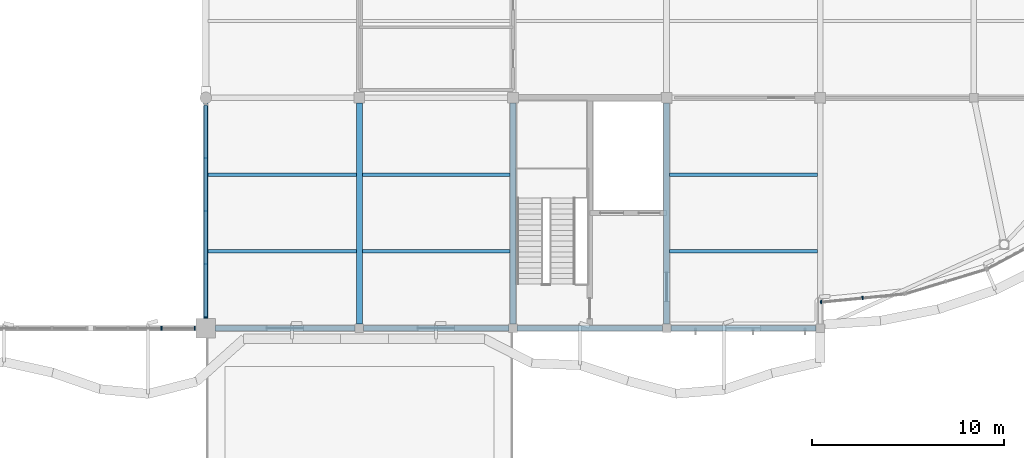
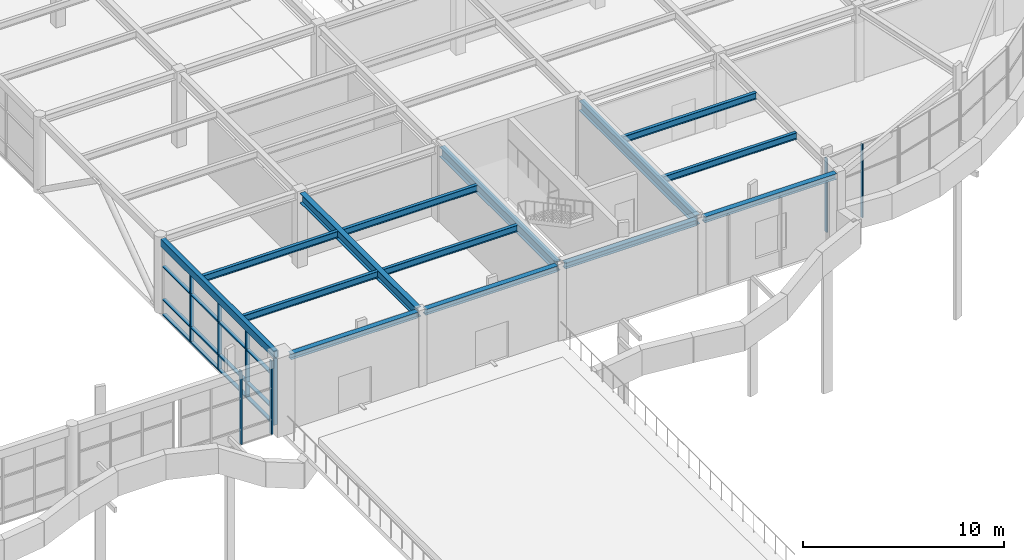
# One storey, part 23 of 63: 14 beams, 12 members, 3 elements without a shape of their own.
"""IFC4 building model written with IfcOpenShell, lengths in metres."""

from ifc_helpers import new_model, si_unit, direction, frame, origin, origin_2d, place, context, subcontext, project, spatial, rectangle, hollow_rectangle, i_section, extrude, material, layer, layer_set, material_profile, profile_set, type_object, element, aggregate, save


model = new_model("IFC4")

# Units and contexts
model_context = context("Model", 3, precision=1e-05, world=origin(), true_north=direction((0.0, 1.0)))
body_context = subcontext(model_context, "Body", "Model", "MODEL_VIEW")
ifc_project = project(units=[si_unit("LENGTHUNIT", "METRE"), si_unit("AREAUNIT", "SQUARE_METRE"), si_unit("VOLUMEUNIT", "CUBIC_METRE"), si_unit("PLANEANGLEUNIT", "RADIAN"), si_unit("MASSUNIT", "GRAM", prefix="KILO")], contexts=[model_context])

# Site, building, storey
site_placement = place(None, origin())
site = spatial("IfcSite", under=ifc_project, at=site_placement, CompositionType="ELEMENT")
building_placement = place(site_placement, origin())
building = spatial("IfcBuilding", under=site, at=building_placement, Name="Keelwater Ferry Terminal", CompositionType="ELEMENT")
storey_placement = place(building_placement, frame((0.0, 0.0, 10.199951171875)))
storey = spatial("IfcBuildingStorey", under=building, at=storey_placement, Name="L02", CompositionType="ELEMENT", Elevation=10.199951171875)

# Curtain wall, members
ifc_material_1 = material(Name="Thermally broken unitised aluminium and triple glass", Category="aluminium")
ifc_layer_1 = layer(ifc_material_1, 0.179931640625)
ifc_layer_set_1 = layer_set([ifc_layer_1], Name="Thermally broken unitised aluminium and triple glass")
curtain_wall_type_1 = type_object("IfcCurtainWallType", Name="CW-19 Unitised Curtain Wall 4350x4480", PredefinedType="USERDEFINED", material=ifc_layer_set_1)
curtain_wall_1_placement = place(storey_placement, origin())
curtain_wall_1 = element("IfcCurtainWall", 1, at=curtain_wall_1_placement, inside=storey, type_object=curtain_wall_type_1, Name="Unitised Curtain Wall CW-L02-157", ObjectType="UNITISED CURTAIN WALL", PredefinedType="USERDEFINED")
ifc_material_2 = material(Name="Aluminium mullion", Category="aluminium")
ifc_material_profile_1 = material_profile(ifc_material_2, rectangle(XDim=0.06494140625, YDim=0.179931640625, at=origin_2d()), Name="CWM-01")
ifc_profile_set_1 = profile_set([ifc_material_profile_1], Name="Aluminium mullion")
member_type_1 = type_object("IfcMemberType", Name="CWM-01 Curtain Mullion 65x180", PredefinedType="MULLION", material=ifc_profile_set_1)
member_1_placement = place(storey_placement, frame((164.044921875, 43.35400390625, 0.0), z_axis=(0.0, 0.0, 1.0), x_axis=(0.995170573079, 0.098160737969, 0.0)))
member_1 = element("IfcMember", 2, at=member_1_placement, type_object=member_type_1, Name="CW-L02-157 Mullion 1", PredefinedType="MULLION", context=body_context, shape_type="SweptSolid", body=[
    extrude(rectangle(XDim=0.06494140625, YDim=0.179931640625, at=origin_2d()), origin(), (0.0, 0.0, 1.0), 4.47998046875),
])
member_2_placement = place(storey_placement, frame((166.20947265625, 43.5673828125, 0.0), z_axis=(0.0, 0.0, 1.0), x_axis=(0.995170573079, 0.098160737969, 0.0)))
member_2 = element("IfcMember", 3, at=member_2_placement, type_object=member_type_1, Name="CW-L02-157 Mullion 2", PredefinedType="MULLION", context=body_context, shape_type="SweptSolid", body=[
    extrude(rectangle(XDim=0.06494140625, YDim=0.179931640625, at=origin_2d()), origin(), (0.0, 0.0, 1.0), 4.47998046875),
])
aggregate(curtain_wall_1, [member_1, member_2])

ifc_material_3 = material(Name="Thermally broken unitised aluminium and triple glass", Category="aluminium")
ifc_layer_2 = layer(ifc_material_3, 0.179931640625)
ifc_layer_set_2 = layer_set([ifc_layer_2], Name="Thermally broken unitised aluminium and triple glass")
curtain_wall_type_2 = type_object("IfcCurtainWallType", Name="CW-03 Unitised Curtain Wall 5230x4450", PredefinedType="USERDEFINED", material=ifc_layer_set_2)
curtain_wall_2_placement = place(storey_placement, origin())
curtain_wall_2 = element("IfcCurtainWall", 4, at=curtain_wall_2_placement, inside=storey, type_object=curtain_wall_type_2, Name="Unitised Curtain Wall CW-L02-024", ObjectType="UNITISED CURTAIN WALL", PredefinedType="USERDEFINED")
ifc_material_4 = material(Name="Aluminium mullion", Category="aluminium")
ifc_material_profile_2 = material_profile(ifc_material_4, rectangle(XDim=0.074951171875, YDim=0.219970703125, at=origin_2d()), Name="CWM-02")
ifc_profile_set_2 = profile_set([ifc_material_profile_2], Name="Aluminium mullion")
member_type_2 = type_object("IfcMemberType", Name="CWM-02 Curtain Mullion 75x220", PredefinedType="MULLION", material=ifc_profile_set_2)
member_3_placement = place(storey_placement, frame((129.681640625, 42.0, 0.0), z_axis=(0.0, 0.0, 1.0), x_axis=(1.0, 0.0, 0.0)))
member_3 = element("IfcMember", 5, at=member_3_placement, type_object=member_type_2, Name="CW-L02-024 Mullion 3", PredefinedType="MULLION", context=body_context, shape_type="SweptSolid", body=[
    extrude(rectangle(XDim=0.074951171875, YDim=0.219970703125, at=origin_2d()), origin(), (0.0, 0.0, 1.0), 4.449951171875),
])
member_4_placement = place(storey_placement, frame((131.425048828125, 42.0, 0.0), z_axis=(0.0, 0.0, 1.0), x_axis=(1.0, 0.0, 0.0)))
member_4 = element("IfcMember", 6, at=member_4_placement, type_object=member_type_2, Name="CW-L02-024 Mullion 4", PredefinedType="MULLION", context=body_context, shape_type="SweptSolid", body=[
    extrude(rectangle(XDim=0.074951171875, YDim=0.219970703125, at=origin_2d()), origin(), (0.0, 0.0, 1.0), 4.449951171875),
])
aggregate(curtain_wall_2, [member_3, member_4])

ifc_material_5 = material(Name="Thermally broken unitised aluminium and triple glass", Category="aluminium")
ifc_layer_3 = layer(ifc_material_5, 0.179931640625)
ifc_layer_set_3 = layer_set([ifc_layer_3], Name="Thermally broken unitised aluminium and triple glass")
curtain_wall_type_3 = type_object("IfcCurtainWallType", Name="CW-14 Unitised Curtain Wall 11050x4450", PredefinedType="USERDEFINED", material=ifc_layer_set_3)
curtain_wall_3_placement = place(storey_placement, origin())
curtain_wall_3 = element("IfcCurtainWall", 7, at=curtain_wall_3_placement, inside=storey, type_object=curtain_wall_type_3, Name="Unitised Curtain Wall CW-L02-074", ObjectType="UNITISED CURTAIN WALL", PredefinedType="USERDEFINED")
member_5_placement = place(storey_placement, frame((132.0, 42.574951171875, 0.0), z_axis=(0.0, 0.0, 1.0), x_axis=(0.0, 1.0, 0.0)))
member_5 = element("IfcMember", 8, at=member_5_placement, type_object=member_type_2, Name="CW-L02-074 Mullion 1", PredefinedType="MULLION", context=body_context, shape_type="SweptSolid", body=[
    extrude(rectangle(XDim=0.074951171875, YDim=0.219970703125, at=origin_2d()), origin(), (0.0, 0.0, 1.0), 4.449951171875),
])
member_6_placement = place(storey_placement, frame((132.0, 45.33740234375, 0.0), z_axis=(0.0, 0.0, 1.0), x_axis=(0.0, 1.0, 0.0)))
member_6 = element("IfcMember", 9, at=member_6_placement, type_object=member_type_2, Name="CW-L02-074 Mullion 2", PredefinedType="MULLION", context=body_context, shape_type="SweptSolid", body=[
    extrude(rectangle(XDim=0.074951171875, YDim=0.219970703125, at=origin_2d()), origin(), (0.0, 0.0, 1.0), 4.449951171875),
])
member_7_placement = place(storey_placement, frame((132.0, 48.10009765625, 0.0), z_axis=(0.0, 0.0, 1.0), x_axis=(0.0, 1.0, 0.0)))
member_7 = element("IfcMember", 10, at=member_7_placement, type_object=member_type_2, Name="CW-L02-074 Mullion 3", PredefinedType="MULLION", context=body_context, shape_type="SweptSolid", body=[
    extrude(rectangle(XDim=0.074951171875, YDim=0.219970703125, at=origin_2d()), origin(), (0.0, 0.0, 1.0), 4.449951171875),
])
member_8_placement = place(storey_placement, frame((132.0, 50.862548828125, 0.0), z_axis=(0.0, 0.0, 1.0), x_axis=(0.0, 1.0, 0.0)))
member_8 = element("IfcMember", 11, at=member_8_placement, type_object=member_type_2, Name="CW-L02-074 Mullion 4", PredefinedType="MULLION", context=body_context, shape_type="SweptSolid", body=[
    extrude(rectangle(XDim=0.074951171875, YDim=0.219970703125, at=origin_2d()), origin(), (0.0, 0.0, 1.0), 4.449951171875),
])
ifc_material_6 = material(Name="Aluminium mullion", Category="aluminium")
ifc_material_profile_3 = material_profile(ifc_material_6, rectangle(XDim=0.199951171875, YDim=0.074951171875, at=origin_2d()), Name="CWT-02")
ifc_profile_set_3 = profile_set([ifc_material_profile_3], Name="Aluminium mullion")
member_type_3 = type_object("IfcMemberType", Name="CWT-02 Curtain Transom 75x200", PredefinedType="USERDEFINED", material=ifc_profile_set_3)
member_9_placement = place(storey_placement, frame((132.0, 42.574951171875, 0.0), z_axis=(0.0, 1.0, 0.0), x_axis=(-1.0, 0.0, 0.0)))
member_9 = element("IfcMember", 12, at=member_9_placement, type_object=member_type_3, Name="CW-L02-074 Transom 1", ObjectType="TRANSOM", PredefinedType="USERDEFINED", context=body_context, shape_type="SweptSolid", body=[
    extrude(rectangle(XDim=0.199951171875, YDim=0.074951171875, at=origin_2d()), origin(), (0.0, 0.0, 1.0), 11.050048828125),
])
member_10_placement = place(storey_placement, frame((132.0, 42.574951171875, 0.900146484375), z_axis=(0.0, 1.0, 0.0), x_axis=(-1.0, 0.0, 0.0)))
member_10 = element("IfcMember", 13, at=member_10_placement, type_object=member_type_3, Name="CW-L02-074 Transom 2", ObjectType="TRANSOM", PredefinedType="USERDEFINED", context=body_context, shape_type="SweptSolid", body=[
    extrude(rectangle(XDim=0.199951171875, YDim=0.074951171875, at=origin_2d()), origin(), (0.0, 0.0, 1.0), 11.050048828125),
])
member_11_placement = place(storey_placement, frame((132.0, 42.574951171875, 2.900146484375), z_axis=(0.0, 1.0, 0.0), x_axis=(-1.0, 0.0, 0.0)))
member_11 = element("IfcMember", 14, at=member_11_placement, type_object=member_type_3, Name="CW-L02-074 Transom 3", ObjectType="TRANSOM", PredefinedType="USERDEFINED", context=body_context, shape_type="SweptSolid", body=[
    extrude(rectangle(XDim=0.199951171875, YDim=0.074951171875, at=origin_2d()), origin(), (0.0, 0.0, 1.0), 11.050048828125),
])
member_12_placement = place(storey_placement, frame((132.0, 42.574951171875, 4.449951171875), z_axis=(0.0, 1.0, 0.0), x_axis=(-1.0, 0.0, 0.0)))
member_12 = element("IfcMember", 15, at=member_12_placement, type_object=member_type_3, Name="CW-L02-074 Transom 4", ObjectType="TRANSOM", PredefinedType="USERDEFINED", context=body_context, shape_type="SweptSolid", body=[
    extrude(rectangle(XDim=0.199951171875, YDim=0.074951171875, at=origin_2d()), origin(), (0.0, 0.0, 1.0), 11.050048828125),
])
aggregate(curtain_wall_3, [member_5, member_6, member_7, member_8, member_9, member_10, member_11, member_12])

# Beams
ifc_material_7 = material(Name="Steel S355", Category="steel")
ifc_material_profile_4 = material_profile(ifc_material_7, i_section(OverallWidth=0.300048828125, OverallDepth=0.60009765625, WebThickness=0.015380859375, FlangeThickness=0.030029296875, at=origin_2d()), Name="HEB 600")
ifc_profile_set_4 = profile_set([ifc_material_profile_4], Name="Steel S355")
beam_type_1 = type_object("IfcBeamType", Name="G3 HEB 600", PredefinedType="BEAM", material=ifc_profile_set_4)
for number, where, z_axis, x_axis, name in (
    (16, (140.0, 42.219970703125, 4.219970703125), (0.0, 1.0, 0.0), (-1.0, 0.0, 0.0), "Beam BM-L02-1108"),
    (17, (156.0, 42.219970703125, 4.219970703125), (0.0, 1.0, 0.0), (-1.0, 0.0, 0.0), "Beam BM-L02-1122"),
):
    element("IfcBeam", number, at=place(storey_placement, frame(where, z_axis=z_axis, x_axis=x_axis)), inside=storey, type_object=beam_type_1, Name=name, PredefinedType="BEAM", context=body_context, shape_type="SweptSolid", body=[
        extrude(i_section(OverallWidth=0.300048828125, OverallDepth=0.60009765625, WebThickness=0.015380859375, FlangeThickness=0.030029296875, at=origin_2d()), origin(), (0.0, 0.0, 1.0), 11.510009765625),
    ])
ifc_material_8 = material(Name="Steel S355", Category="steel")
ifc_material_profile_5 = material_profile(ifc_material_8, i_section(OverallWidth=0.300048828125, OverallDepth=0.60009765625, WebThickness=0.015380859375, FlangeThickness=0.030029296875, at=origin_2d()), Name="HEB 600")
ifc_profile_set_5 = profile_set([ifc_material_profile_5], Name="Steel S355")
beam_type_2 = type_object("IfcBeamType", Name="G3E HEB 600", PredefinedType="BEAM", material=ifc_profile_set_5)
beam_1_placement = place(storey_placement, frame((148.0, 42.219970703125, 4.219970703125), z_axis=(0.0, 1.0, 0.0), x_axis=(-1.0, 0.0, 0.0)))
element("IfcBeam", 18, at=beam_1_placement, inside=storey, type_object=beam_type_2, Name="Beam BM-L02-1115", PredefinedType="BEAM", context=body_context, shape_type="SweptSolid", body=[
    extrude(i_section(OverallWidth=0.300048828125, OverallDepth=0.60009765625, WebThickness=0.015380859375, FlangeThickness=0.030029296875, at=origin_2d()), origin(), (0.0, 0.0, 1.0), 11.510009765625),
])
ifc_material_9 = material(Name="Steel S355", Category="steel")
ifc_material_profile_6 = material_profile(ifc_material_9, i_section(OverallWidth=0.179931640625, OverallDepth=0.39990234375, WebThickness=0.008544921875, FlangeThickness=0.013427734375, at=origin_2d()), Name="IPE 400")
ifc_profile_set_6 = profile_set([ifc_material_profile_6], Name="Steel S355")
beam_type_3 = type_object("IfcBeamType", Name="J5 IPE 400", PredefinedType="JOIST", material=ifc_profile_set_6)
for number, where, z_axis, x_axis, name in (
    (19, (132.125, 46.0, 4.320068359375), (1.0, 0.0, 0.0), (0.0, 1.0, 0.0), "Beam BM-L02-1195"),
    (20, (132.125, 50.0, 4.320068359375), (1.0, 0.0, 0.0), (0.0, 1.0, 0.0), "Beam BM-L02-1196"),
):
    element("IfcBeam", number, at=place(storey_placement, frame(where, z_axis=z_axis, x_axis=x_axis)), inside=storey, type_object=beam_type_3, Name=name, PredefinedType="JOIST", context=body_context, shape_type="SweptSolid", body=[
        extrude(i_section(OverallWidth=0.179931640625, OverallDepth=0.39990234375, WebThickness=0.008544921875, FlangeThickness=0.013427734375, at=origin_2d()), origin(), (0.0, 0.0, 1.0), 7.72509765625),
    ])
for number, where, z_axis, x_axis, name in (
    (21, (140.14990234375, 46.0, 4.320068359375), (1.0, 0.0, 0.0), (0.0, 1.0, 0.0), "Beam BM-L02-1209"),
    (22, (140.14990234375, 50.0, 4.320068359375), (1.0, 0.0, 0.0), (0.0, 1.0, 0.0), "Beam BM-L02-1210"),
    (23, (156.14990234375, 46.0, 4.320068359375), (1.0, 0.0, 0.0), (0.0, 1.0, 0.0), "Beam BM-L02-1233"),
    (24, (156.14990234375, 50.0, 4.320068359375), (1.0, 0.0, 0.0), (0.0, 1.0, 0.0), "Beam BM-L02-1234"),
):
    element("IfcBeam", number, at=place(storey_placement, frame(where, z_axis=z_axis, x_axis=x_axis)), inside=storey, type_object=beam_type_3, Name=name, PredefinedType="JOIST", context=body_context, shape_type="SweptSolid", body=[
        extrude(i_section(OverallWidth=0.179931640625, OverallDepth=0.39990234375, WebThickness=0.008544921875, FlangeThickness=0.013427734375, at=origin_2d()), origin(), (0.0, 0.0, 1.0), 7.7001953125),
    ])
ifc_material_10 = material(Name="Steel S355", Category="steel")
ifc_material_profile_7 = material_profile(ifc_material_10, hollow_rectangle(XDim=0.25, YDim=0.449951171875, WallThickness=0.01611328125, at=origin_2d()), Name="RHS 450x250x16")
ifc_profile_set_7 = profile_set([ifc_material_profile_7], Name="Steel S355")
beam_type_4 = type_object("IfcBeamType", Name="RB2E RHS 450x250x16", PredefinedType="SPANDREL", material=ifc_profile_set_7)
beam_2_placement = place(storey_placement, frame((132.0, 42.489990234375, 4.295166015625), z_axis=(0.0, 1.0, 0.0), x_axis=(-1.0, 0.0, 0.0)))
element("IfcBeam", 25, at=beam_2_placement, inside=storey, type_object=beam_type_4, Name="Beam BM-L02-1100", PredefinedType="SPANDREL", context=body_context, shape_type="SweptSolid", body=[
    extrude(hollow_rectangle(XDim=0.25, YDim=0.449951171875, WallThickness=0.01611328125, at=origin_2d()), origin(), (0.0, 0.0, 1.0), 11.263916015625),
])
ifc_material_11 = material(Name="Steel S355", Category="steel")
ifc_material_profile_8 = material_profile(ifc_material_11, i_section(OverallWidth=0.300048828125, OverallDepth=0.35009765625, WebThickness=0.010009765625, FlangeThickness=0.017578125, at=origin_2d()), Name="HEA 360")
ifc_profile_set_8 = profile_set([ifc_material_profile_8], Name="Steel S355")
beam_type_5 = type_object("IfcBeamType", Name="SP1E HEA 360", PredefinedType="SPANDREL", material=ifc_profile_set_8)
beam_3_placement = place(storey_placement, frame((132.489990234375, 42.0, 4.344970703125), z_axis=(1.0, 0.0, 0.0), x_axis=(0.0, 1.0, 0.0)))
element("IfcBeam", 26, at=beam_3_placement, inside=storey, type_object=beam_type_5, Name="Beam BM-L02-0992", PredefinedType="SPANDREL", context=body_context, shape_type="SweptSolid", body=[
    extrude(i_section(OverallWidth=0.300048828125, OverallDepth=0.35009765625, WebThickness=0.010009765625, FlangeThickness=0.017578125, at=origin_2d()), origin(), (0.0, 0.0, 1.0), 7.2900390625),
])
for number, where, z_axis, x_axis, name in (
    (27, (140.219970703125, 42.0, 4.344970703125), (1.0, 0.0, 0.0), (0.0, 1.0, 0.0), "Beam BM-L02-0993"),
    (28, (148.219970703125, 42.0, 4.344970703125), (1.0, 0.0, 0.0), (0.0, 1.0, 0.0), "Beam BM-L02-0994"),
    (29, (156.219970703125, 42.0, 4.344970703125), (1.0, 0.0, 0.0), (0.0, 1.0, 0.0), "Beam BM-L02-0995"),
):
    element("IfcBeam", number, at=place(storey_placement, frame(where, z_axis=z_axis, x_axis=x_axis)), inside=storey, type_object=beam_type_5, Name=name, PredefinedType="SPANDREL", context=body_context, shape_type="SweptSolid", body=[
        extrude(i_section(OverallWidth=0.300048828125, OverallDepth=0.35009765625, WebThickness=0.010009765625, FlangeThickness=0.017578125, at=origin_2d()), origin(), (0.0, 0.0, 1.0), 7.56005859375),
    ])

save(model, "model.ifc")
